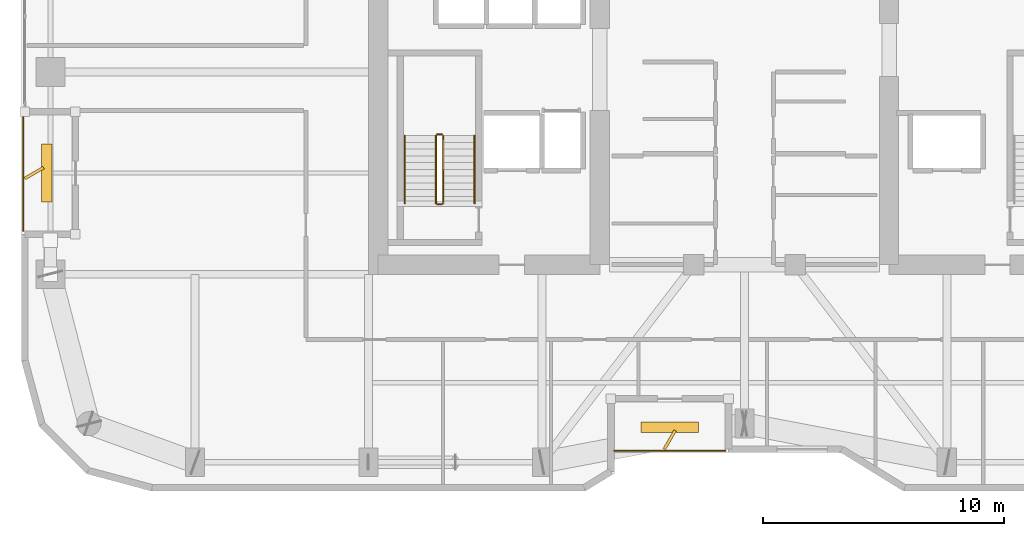
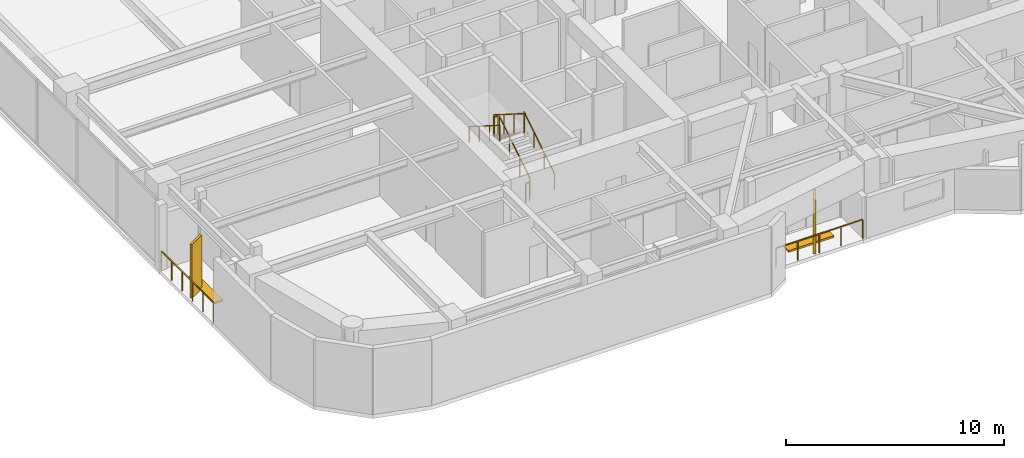
# One storey, part 28 of 30: 8 railings, 4 shading devices.
"""IFC4 building model written with IfcOpenShell, lengths in metres."""

from ifc_helpers import new_model, si_unit, direction, frame, origin, origin_2d, place, context, subcontext, project, spatial, rectangle, extrude, material, type_object, element, save


model = new_model("IFC4")

# Units and contexts
model_context = context("Model", 3, precision=1e-05, world=origin(), true_north=direction((0.0, 1.0)))
body_context = subcontext(model_context, "Body", "Model", "MODEL_VIEW")
ifc_project = project(units=[si_unit("LENGTHUNIT", "METRE"), si_unit("AREAUNIT", "SQUARE_METRE"), si_unit("VOLUMEUNIT", "CUBIC_METRE"), si_unit("PLANEANGLEUNIT", "RADIAN"), si_unit("MASSUNIT", "GRAM", prefix="KILO")], contexts=[model_context])

# Site, building, storey
site_placement = place(None, origin())
site = spatial("IfcSite", under=ifc_project, at=site_placement, CompositionType="ELEMENT")
building_placement = place(site_placement, origin())
building = spatial("IfcBuilding", under=site, at=building_placement, Name="Kiyonajd Concourse Tower", CompositionType="ELEMENT")
storey_placement = place(building_placement, frame((0.0, 0.0, 166.199951171875)))
storey = spatial("IfcBuildingStorey", under=building, at=storey_placement, Name="L42", CompositionType="ELEMENT", Elevation=166.199951171875)

# Railings
ifc_material_1 = material(Name="Thermally Broken Anodised Aluminium", Category="aluminium")
railing_type_1 = type_object("IfcRailingType", Name="RL-GRD-LOG", PredefinedType="GUARDRAIL", material=ifc_material_1)
railing_1_placement = place(storey_placement, frame((42.60009765625, 20.280029296875, 0.0)))
element("IfcRailing", 1, at=railing_1_placement, inside=storey, type_object=railing_type_1, Name="L42 Engawa Loggia Perimeter Guard LOG-S", PredefinedType="GUARDRAIL", context=body_context, shape_type="SweptSolid", body=[
    extrude(rectangle(XDim=0.048095703125, YDim=0.048095703125, at=origin_2d()), frame((0.0, 0.0, 1.076171875), z_axis=(1.0, 0.0, 0.0), x_axis=(0.0, 1.0, 0.0)), (0.0, 0.0, 1.0), 4.599853515625),
    extrude(rectangle(XDim=0.0419921875, YDim=0.0419921875, at=origin_2d()), origin(), (0.0, 0.0, 1.0), 1.052001953125),
    extrude(rectangle(XDim=0.0419921875, YDim=0.0419921875, at=origin_2d()), frame((1.14990234375, 0.0, 0.0)), (0.0, 0.0, 1.0), 1.052001953125),
    extrude(rectangle(XDim=0.0419921875, YDim=0.0419921875, at=origin_2d()), frame((2.2998046875, 0.0, 0.0)), (0.0, 0.0, 1.0), 1.052001953125),
    extrude(rectangle(XDim=0.0419921875, YDim=0.0419921875, at=origin_2d()), frame((3.449951171875, 0.0, 0.0)), (0.0, 0.0, 1.0), 1.052001953125),
    extrude(rectangle(XDim=0.0419921875, YDim=0.0419921875, at=origin_2d()), frame((4.599853515625, 0.0, 0.0)), (0.0, 0.0, 1.0), 1.052001953125),
])
railing_2_placement = place(storey_placement, frame((18.080078125, 34.199951171875, 0.0)))
element("IfcRailing", 2, at=railing_2_placement, inside=storey, type_object=railing_type_1, Name="L42 Engawa Loggia Perimeter Guard LOG-W", PredefinedType="GUARDRAIL", context=body_context, shape_type="SweptSolid", body=[
    extrude(rectangle(XDim=0.048095703125, YDim=0.048095703125, at=origin_2d()), frame((0.0, 0.0, 1.076171875), z_axis=(0.0, -1.0, 0.0), x_axis=(1.0, 0.0, 0.0)), (0.0, 0.0, 1.0), 4.800048828125),
    extrude(rectangle(XDim=0.0419921875, YDim=0.0419921875, at=origin_2d()), origin(), (0.0, 0.0, 1.0), 1.052001953125),
    extrude(rectangle(XDim=0.0419921875, YDim=0.0419921875, at=origin_2d()), frame((0.0, -0.9599609375, 0.0)), (0.0, 0.0, 1.0), 1.052001953125),
    extrude(rectangle(XDim=0.0419921875, YDim=0.0419921875, at=origin_2d()), frame((0.0, -1.919921875, 0.0)), (0.0, 0.0, 1.0), 1.052001953125),
    extrude(rectangle(XDim=0.0419921875, YDim=0.0419921875, at=origin_2d()), frame((0.0, -2.880126953125, 0.0)), (0.0, 0.0, 1.0), 1.052001953125),
    extrude(rectangle(XDim=0.0419921875, YDim=0.0419921875, at=origin_2d()), frame((0.0, -3.840087890625, 0.0)), (0.0, 0.0, 1.0), 1.052001953125),
    extrude(rectangle(XDim=0.0419921875, YDim=0.0419921875, at=origin_2d()), frame((0.0, -4.800048828125, 0.0)), (0.0, 0.0, 1.0), 1.052001953125),
])
ifc_material_2 = material(Name="Steel ASTM A500 Grade C", Category="steel")
railing_type_2 = type_object("IfcRailingType", Name="RL-GRD-STR", PredefinedType="GUARDRAIL", material=ifc_material_2)
railing_3_placement = place(storey_placement, frame((35.5, 30.550048828125, 0.17724609375)))
element("IfcRailing", 3, at=railing_3_placement, inside=storey, type_object=railing_type_2, Name="L42 ST1 stair guard 1", PredefinedType="GUARDRAIL", context=body_context, shape_type="SweptSolid", body=[
    extrude(rectangle(XDim=0.048095703125, YDim=0.048095703125, at=origin_2d()), frame((0.0, 0.0, 1.076171875), z_axis=(0.0, 0.844908973607, 0.534910110503), x_axis=(-1.0, 0.0, 0.0)), (0.0, 0.0, 1.0), 3.31396484375),
    extrude(rectangle(XDim=0.0419921875, YDim=0.0419921875, at=origin_2d()), origin(), (0.0, 0.0, 1.0), 1.052001953125),
    extrude(rectangle(XDim=0.0419921875, YDim=0.0419921875, at=origin_2d()), frame((0.0, 0.933349609375, 0.5908203125)), (0.0, 0.0, 1.0), 1.052001953125),
    extrude(rectangle(XDim=0.0419921875, YDim=0.0419921875, at=origin_2d()), frame((0.0, 1.86669921875, 1.181884765625)), (0.0, 0.0, 1.0), 1.052001953125),
    extrude(rectangle(XDim=0.0419921875, YDim=0.0419921875, at=origin_2d()), frame((0.0, 2.800048828125, 1.772705078125)), (0.0, 0.0, 1.0), 1.052001953125),
])
railing_4_placement = place(storey_placement, frame((35.449951171875, 33.39990234375, 1.949951171875)))
element("IfcRailing", 4, at=railing_4_placement, inside=storey, type_object=railing_type_2, Name="L42 ST1 stair guard 2", PredefinedType="GUARDRAIL", context=body_context, shape_type="SweptSolid", body=[
    extrude(rectangle(XDim=0.048095703125, YDim=0.048095703125, at=origin_2d()), frame((0.0, 0.0, 1.076171875), z_axis=(-1.0, 0.0, 0.0), x_axis=(0.0, -1.0, 0.0)), (0.0, 0.0, 1.0), 0.199951171875),
    extrude(rectangle(XDim=0.0419921875, YDim=0.0419921875, at=origin_2d()), origin(), (0.0, 0.0, 1.0), 1.052001953125),
    extrude(rectangle(XDim=0.0419921875, YDim=0.0419921875, at=origin_2d()), frame((-0.199951171875, 0.0, 0.0)), (0.0, 0.0, 1.0), 1.052001953125),
])
railing_5_placement = place(storey_placement, frame((35.199951171875, 33.35009765625, 2.12744140625)))
element("IfcRailing", 5, at=railing_5_placement, inside=storey, type_object=railing_type_2, Name="L42 ST1 stair guard 3", PredefinedType="GUARDRAIL", context=body_context, shape_type="SweptSolid", body=[
    extrude(rectangle(XDim=0.048095703125, YDim=0.048095703125, at=origin_2d()), frame((0.0, 0.0, 1.076171875), z_axis=(0.0, -0.844908973607, 0.534910110503), x_axis=(1.0, 0.0, 0.0)), (0.0, 0.0, 1.0), 3.31396484375),
    extrude(rectangle(XDim=0.0419921875, YDim=0.0419921875, at=origin_2d()), origin(), (0.0, 0.0, 1.0), 1.052001953125),
    extrude(rectangle(XDim=0.0419921875, YDim=0.0419921875, at=origin_2d()), frame((0.0, -0.933349609375, 0.5908203125)), (0.0, 0.0, 1.0), 1.052001953125),
    extrude(rectangle(XDim=0.0419921875, YDim=0.0419921875, at=origin_2d()), frame((0.0, -1.86669921875, 1.181884765625)), (0.0, 0.0, 1.0), 1.052001953125),
    extrude(rectangle(XDim=0.0419921875, YDim=0.0419921875, at=origin_2d()), frame((0.0, -2.800048828125, 1.772705078125)), (0.0, 0.0, 1.0), 1.052001953125),
])
railing_6_placement = place(storey_placement, frame((35.449951171875, 30.5, 0.0)))
element("IfcRailing", 6, at=railing_6_placement, inside=storey, type_object=railing_type_2, Name="L42 ST1 stair guard 4", PredefinedType="GUARDRAIL", context=body_context, shape_type="SweptSolid", body=[
    extrude(rectangle(XDim=0.048095703125, YDim=0.048095703125, at=origin_2d()), frame((0.0, 0.0, 1.076171875), z_axis=(-1.0, 0.0, 0.0), x_axis=(0.0, -1.0, 0.0)), (0.0, 0.0, 1.0), 0.199951171875),
    extrude(rectangle(XDim=0.0419921875, YDim=0.0419921875, at=origin_2d()), origin(), (0.0, 0.0, 1.0), 1.052001953125),
    extrude(rectangle(XDim=0.0419921875, YDim=0.0419921875, at=origin_2d()), frame((-0.199951171875, 0.0, 0.0)), (0.0, 0.0, 1.0), 1.052001953125),
])
ifc_material_3 = material(Name="Brushed Stainless Steel Cab Assembly", Category="steel")
railing_type_3 = type_object("IfcRailingType", Name="RL-HND-900", PredefinedType="HANDRAIL", material=ifc_material_3)
railing_7_placement = place(storey_placement, frame((36.800048828125, 30.550048828125, 0.17724609375)))
element("IfcRailing", 7, at=railing_7_placement, inside=storey, type_object=railing_type_3, Name="L42 ST1 stair handrail 1", PredefinedType="HANDRAIL", context=body_context, shape_type="SweptSolid", body=[
    extrude(rectangle(XDim=0.048095703125, YDim=0.048095703125, at=origin_2d()), frame((0.0, 0.0, 0.8759765625), z_axis=(0.0, 0.844908973607, 0.534910110503), x_axis=(-1.0, 0.0, 0.0)), (0.0, 0.0, 1.0), 3.31396484375),
    extrude(rectangle(XDim=0.0419921875, YDim=0.0419921875, at=origin_2d()), origin(), (0.0, 0.0, 1.0), 0.851806640625),
    extrude(rectangle(XDim=0.0419921875, YDim=0.0419921875, at=origin_2d()), frame((0.0, 0.933349609375, 0.5908203125)), (0.0, 0.0, 1.0), 0.851806640625),
    extrude(rectangle(XDim=0.0419921875, YDim=0.0419921875, at=origin_2d()), frame((0.0, 1.86669921875, 1.181884765625)), (0.0, 0.0, 1.0), 0.851806640625),
    extrude(rectangle(XDim=0.0419921875, YDim=0.0419921875, at=origin_2d()), frame((0.0, 2.800048828125, 1.772705078125)), (0.0, 0.0, 1.0), 0.851806640625),
])
railing_8_placement = place(storey_placement, frame((33.89990234375, 33.35009765625, 2.12744140625)))
element("IfcRailing", 8, at=railing_8_placement, inside=storey, type_object=railing_type_3, Name="L42 ST1 stair handrail 2", PredefinedType="HANDRAIL", context=body_context, shape_type="SweptSolid", body=[
    extrude(rectangle(XDim=0.048095703125, YDim=0.048095703125, at=origin_2d()), frame((0.0, 0.0, 0.8759765625), z_axis=(0.0, -0.844908973607, 0.534910110503), x_axis=(1.0, 0.0, 0.0)), (0.0, 0.0, 1.0), 3.31396484375),
    extrude(rectangle(XDim=0.0419921875, YDim=0.0419921875, at=origin_2d()), origin(), (0.0, 0.0, 1.0), 0.851806640625),
    extrude(rectangle(XDim=0.0419921875, YDim=0.0419921875, at=origin_2d()), frame((0.0, -0.933349609375, 0.5908203125)), (0.0, 0.0, 1.0), 0.851806640625),
    extrude(rectangle(XDim=0.0419921875, YDim=0.0419921875, at=origin_2d()), frame((0.0, -1.86669921875, 1.181884765625)), (0.0, 0.0, 1.0), 0.851806640625),
    extrude(rectangle(XDim=0.0419921875, YDim=0.0419921875, at=origin_2d()), frame((0.0, -2.800048828125, 1.772705078125)), (0.0, 0.0, 1.0), 0.851806640625),
])

# Shading devices
ifc_material_4 = material(Name="Precast concrete C50/60", Category="concrete")
shading_device_type_1 = type_object("IfcShadingDeviceType", Name="SH-FIN-900", PredefinedType="USERDEFINED", material=ifc_material_4)
for number, where, z_axis, x_axis, name in (
    (9, (44.89990234375, 20.72998046875, 0.0), (0.0, 0.0, 1.0), (0.5, 0.866025403784, 0.0), "L42 Angled Koshi Solar Fin LOG-S"),
    (10, (18.530029296875, 31.800048828125, 0.0), (0.0, 0.0, 1.0), (0.866025403784, 0.5, 0.0), "L42 Angled Koshi Solar Fin LOG-W"),
):
    element("IfcShadingDevice", number, at=place(storey_placement, frame(where, z_axis=z_axis, x_axis=x_axis)), inside=storey, type_object=shading_device_type_1, Name=name, ObjectType="FIN", PredefinedType="USERDEFINED", context=body_context, shape_type="SweptSolid", body=[
        extrude(rectangle(XDim=0.89990234375, YDim=0.1201171875, at=origin_2d()), origin(), (0.0, 0.0, 1.0), 3.0),
    ])
shading_device_type_2 = type_object("IfcShadingDeviceType", Name="SH-LVR-600", PredefinedType="JALOUSIE", material=ifc_material_1)
for number, where, z_axis, x_axis, name in (
    (11, (44.89990234375, 21.25, 0.0), (0.0, 0.0, 1.0), (1.0, 0.0, 0.0), "L42 Loggia Threshold Louver LOG-S"),
    (12, (19.050048828125, 31.800048828125, 0.0), (0.0, 0.0, 1.0), (0.0, 1.0, 0.0), "L42 Loggia Threshold Louver LOG-W"),
):
    element("IfcShadingDevice", number, at=place(storey_placement, frame(where, z_axis=z_axis, x_axis=x_axis)), inside=storey, type_object=shading_device_type_2, Name=name, PredefinedType="JALOUSIE", context=body_context, shape_type="SweptSolid", body=[
        extrude(rectangle(XDim=2.39990234375, YDim=0.449951171875, at=origin_2d()), origin(), (0.0, 0.0, 1.0), 0.10009765625),
    ])

save(model, "model.ifc")
